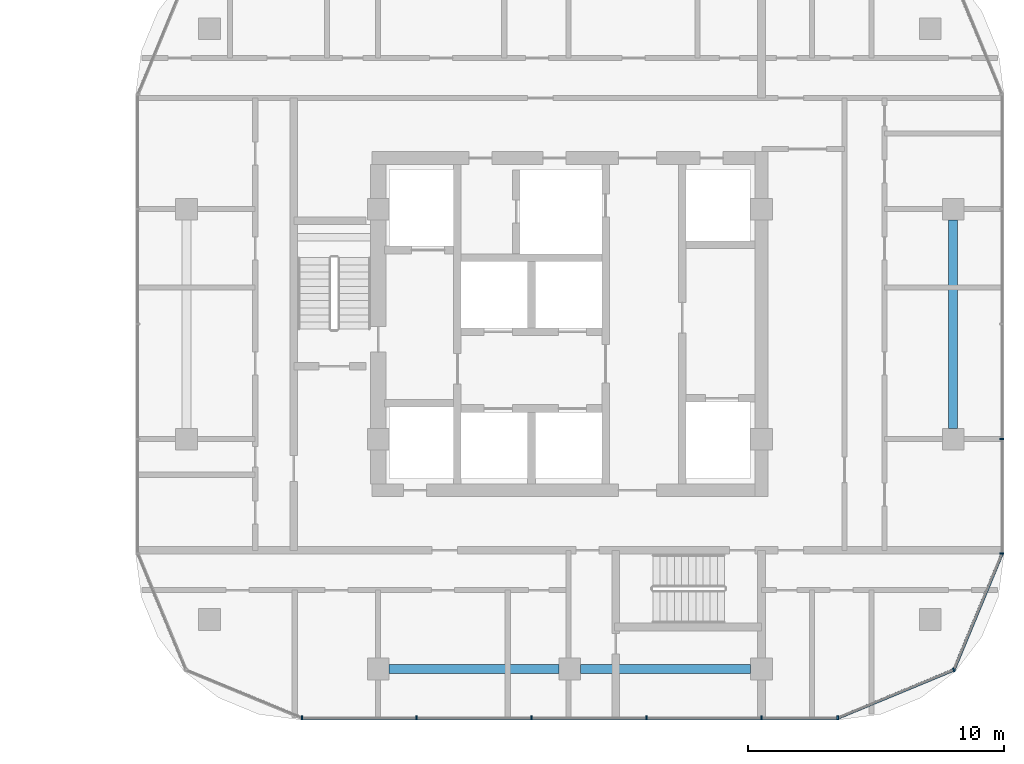
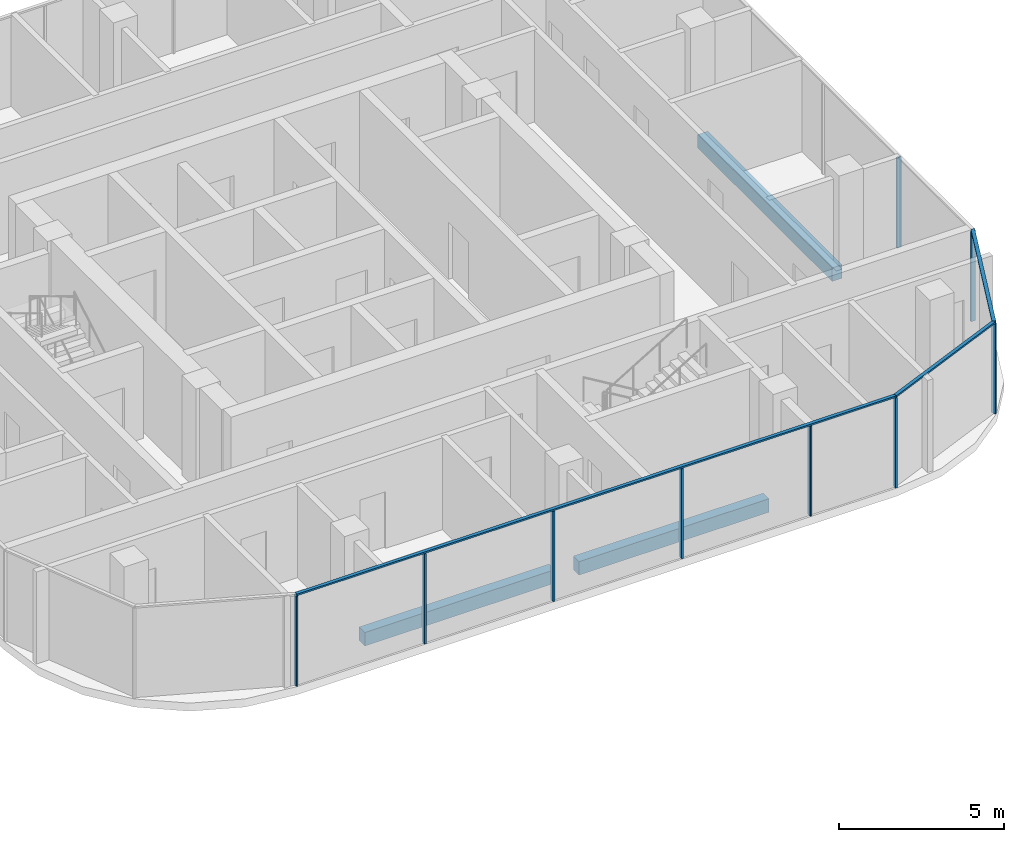
# One storey, part 11 of 32: 12 members, 3 beams, 3 elements without a shape of their own.
"""IFC4 building model written with IfcOpenShell, lengths in metres."""

from ifc_helpers import new_model, si_unit, direction, frame, origin, origin_2d, place, context, subcontext, project, spatial, rectangle, extrude, material, material_profile, profile_set, type_object, element, aggregate, save


model = new_model("IFC4")

# Units and contexts
model_context = context("Model", 3, precision=1e-05, world=origin(), true_north=direction((0.0, 1.0)))
body_context = subcontext(model_context, "Body", "Model", "MODEL_VIEW")
ifc_project = project(units=[si_unit("LENGTHUNIT", "METRE"), si_unit("AREAUNIT", "SQUARE_METRE"), si_unit("VOLUMEUNIT", "CUBIC_METRE"), si_unit("PLANEANGLEUNIT", "RADIAN"), si_unit("MASSUNIT", "GRAM", prefix="KILO")], contexts=[model_context])

# Site, building, storey
site_placement = place(None, origin())
site = spatial("IfcSite", under=ifc_project, at=site_placement, CompositionType="ELEMENT")
building_placement = place(site_placement, origin())
building = spatial("IfcBuilding", under=site, at=building_placement, Name="Ogive Portal Towers", CompositionType="ELEMENT")
storey_placement = place(building_placement, frame((0.0, 0.0, 59.39990234375)))
storey = spatial("IfcBuildingStorey", under=building, at=storey_placement, Name="L13", CompositionType="ELEMENT", Elevation=59.39990234375)

# Curtain wall, members
ifc_material_1 = material(Name="Glass, clear low-iron insulated glazing", Category="glass")
curtain_wall_type = type_object("IfcCurtainWallType", Name="CW RESIDENCES RIBBON", PredefinedType="NOTDEFINED", material=ifc_material_1)
curtain_wall_1_placement = place(storey_placement, origin())
curtain_wall_1 = element("IfcCurtainWall", 1, at=curtain_wall_1_placement, inside=storey, type_object=curtain_wall_type, Name="B:L13:f02:cw0", PredefinedType="NOTDEFINED")
ifc_material_2 = material(Name="Aluminium 6063 anodised", Category="aluminium")
ifc_material_profile_1 = material_profile(ifc_material_2, rectangle(XDim=0.159912109375, YDim=0.06005859375, at=origin_2d()), Name="AL 60x160")
ifc_profile_set_1 = profile_set([ifc_material_profile_1], Name="Aluminium 6063 anodised")
member_type_1 = type_object("IfcMemberType", Name="CW MULLION 60x160", PredefinedType="MULLION", material=ifc_profile_set_1)
member_1_placement = place(storey_placement, frame((126.015869140625, 15.590087890625, 0.0), z_axis=(0.0, 0.0, 1.0), x_axis=(0.0, 1.0, 0.0)))
member_1 = element("IfcMember", 2, at=member_1_placement, type_object=member_type_1, Name="mullion", PredefinedType="MULLION", context=body_context, shape_type="SweptSolid", body=[
    extrude(rectangle(XDim=0.159912109375, YDim=0.06005859375, at=origin_2d()), origin(), (0.0, 0.0, 1.0), 3.340087890625),
])
member_2_placement = place(storey_placement, frame((130.5, 15.590087890625, 0.0), z_axis=(0.0, 0.0, 1.0), x_axis=(0.0, 1.0, 0.0)))
member_2 = element("IfcMember", 3, at=member_2_placement, type_object=member_type_1, Name="mullion", PredefinedType="MULLION", context=body_context, shape_type="SweptSolid", body=[
    extrude(rectangle(XDim=0.159912109375, YDim=0.06005859375, at=origin_2d()), origin(), (0.0, 0.0, 1.0), 3.340087890625),
])
member_3_placement = place(storey_placement, frame((135.0, 15.590087890625, 0.0), z_axis=(0.0, 0.0, 1.0), x_axis=(0.0, 1.0, 0.0)))
member_3 = element("IfcMember", 4, at=member_3_placement, type_object=member_type_1, Name="mullion", PredefinedType="MULLION", context=body_context, shape_type="SweptSolid", body=[
    extrude(rectangle(XDim=0.159912109375, YDim=0.06005859375, at=origin_2d()), origin(), (0.0, 0.0, 1.0), 3.340087890625),
])
member_4_placement = place(storey_placement, frame((139.5, 15.590087890625, 0.0), z_axis=(0.0, 0.0, 1.0), x_axis=(0.0, 1.0, 0.0)))
member_4 = element("IfcMember", 5, at=member_4_placement, type_object=member_type_1, Name="mullion", PredefinedType="MULLION", context=body_context, shape_type="SweptSolid", body=[
    extrude(rectangle(XDim=0.159912109375, YDim=0.06005859375, at=origin_2d()), origin(), (0.0, 0.0, 1.0), 3.340087890625),
])
member_5_placement = place(storey_placement, frame((144.0, 15.590087890625, 0.0), z_axis=(0.0, 0.0, 1.0), x_axis=(0.0, 1.0, 0.0)))
member_5 = element("IfcMember", 6, at=member_5_placement, type_object=member_type_1, Name="mullion", PredefinedType="MULLION", context=body_context, shape_type="SweptSolid", body=[
    extrude(rectangle(XDim=0.159912109375, YDim=0.06005859375, at=origin_2d()), origin(), (0.0, 0.0, 1.0), 3.340087890625),
])
member_6_placement = place(storey_placement, frame((146.984130859375, 15.590087890625, 0.0), z_axis=(0.0, 0.0, 1.0), x_axis=(0.0, 1.0, 0.0)))
member_6 = element("IfcMember", 7, at=member_6_placement, type_object=member_type_1, Name="mullion", PredefinedType="MULLION", context=body_context, shape_type="SweptSolid", body=[
    extrude(rectangle(XDim=0.159912109375, YDim=0.06005859375, at=origin_2d()), origin(), (0.0, 0.0, 1.0), 3.340087890625),
])

curtain_wall_2_placement = place(storey_placement, origin())
curtain_wall_2 = element("IfcCurtainWall", 8, at=curtain_wall_2_placement, inside=storey, type_object=curtain_wall_type, Name="B:L13:f05:cw0", PredefinedType="NOTDEFINED")
member_7_placement = place(storey_placement, frame((153.409912109375, 22.015869140625, 0.0), z_axis=(0.0, 0.0, 1.0), x_axis=(-1.0, 0.0, 0.0)))
member_7 = element("IfcMember", 9, at=member_7_placement, type_object=member_type_1, Name="mullion", PredefinedType="MULLION", context=body_context, shape_type="SweptSolid", body=[
    extrude(rectangle(XDim=0.159912109375, YDim=0.06005859375, at=origin_2d()), origin(), (0.0, 0.0, 1.0), 3.340087890625),
])
member_8_placement = place(storey_placement, frame((153.409912109375, 26.5, 0.0), z_axis=(0.0, 0.0, 1.0), x_axis=(-1.0, 0.0, 0.0)))
member_8 = element("IfcMember", 10, at=member_8_placement, type_object=member_type_1, Name="mullion", PredefinedType="MULLION", context=body_context, shape_type="SweptSolid", body=[
    extrude(rectangle(XDim=0.159912109375, YDim=0.06005859375, at=origin_2d()), origin(), (0.0, 0.0, 1.0), 3.340087890625),
])
aggregate(curtain_wall_2, [member_7, member_8])

# Curtain wall, member
curtain_wall_3_placement = place(storey_placement, origin())
curtain_wall_3 = element("IfcCurtainWall", 11, at=curtain_wall_3_placement, inside=storey, type_object=curtain_wall_type, Name="B:L13:f03:cwa", PredefinedType="NOTDEFINED")
member_9_placement = place(storey_placement, frame((151.52783203125, 17.47216796875, 0.0), z_axis=(0.0, 0.0, 1.0), x_axis=(-0.382683432365, 0.923879532511, 0.0)))
member_9 = element("IfcMember", 12, at=member_9_placement, type_object=member_type_1, Name="mullion", PredefinedType="MULLION", context=body_context, shape_type="SweptSolid", body=[
    extrude(rectangle(XDim=0.159912109375, YDim=0.06005859375, at=origin_2d()), origin(), (0.0, 0.0, 1.0), 3.340087890625),
])

# Member
ifc_material_profile_2 = material_profile(ifc_material_2, rectangle(XDim=0.1201171875, YDim=0.06005859375, at=origin_2d()), Name="AL 120x60")
ifc_profile_set_2 = profile_set([ifc_material_profile_2], Name="Aluminium 6063 anodised")
member_type_2 = type_object("IfcMemberType", Name="CW TRANSOM 60x120", PredefinedType="USERDEFINED", material=ifc_profile_set_2)
member_10_placement = place(storey_placement, frame((126.015869140625, 15.590087890625, 3.3701171875), z_axis=(1.0, 0.0, 0.0), x_axis=(0.0, 1.0, 0.0)))
member_10 = element("IfcMember", 13, at=member_10_placement, type_object=member_type_2, Name="transom", ObjectType="TRANSOM", PredefinedType="USERDEFINED", context=body_context, shape_type="SweptSolid", body=[
    extrude(rectangle(XDim=0.1201171875, YDim=0.06005859375, at=origin_2d()), origin(), (0.0, 0.0, 1.0), 20.96826171875),
])

aggregate(curtain_wall_1, [member_10, member_1, member_2, member_3, member_4, member_5, member_6])

member_11_placement = place(storey_placement, frame((146.984130859375, 15.590087890625, 3.3701171875), z_axis=(0.923878279534, 0.382686457306, 0.0), x_axis=(-0.382686457306, 0.923878279534, 0.0)))
member_11 = element("IfcMember", 14, at=member_11_placement, type_object=member_type_2, Name="transom", ObjectType="TRANSOM", PredefinedType="USERDEFINED", context=body_context, shape_type="SweptSolid", body=[
    extrude(rectangle(XDim=0.1201171875, YDim=0.06005859375, at=origin_2d()), origin(), (0.0, 0.0, 1.0), 4.91796875),
])

member_12_placement = place(storey_placement, frame((151.52783203125, 17.47216796875, 3.3701171875), z_axis=(0.382686457306, 0.923878279534, 0.0), x_axis=(-0.923878279534, 0.382686457306, 0.0)))
member_12 = element("IfcMember", 15, at=member_12_placement, type_object=member_type_2, Name="transom", ObjectType="TRANSOM", PredefinedType="USERDEFINED", context=body_context, shape_type="SweptSolid", body=[
    extrude(rectangle(XDim=0.1201171875, YDim=0.06005859375, at=origin_2d()), origin(), (0.0, 0.0, 1.0), 4.91796875),
])

aggregate(curtain_wall_3, [member_11, member_12, member_9])

# Beams
ifc_material_3 = material(Name="Concrete C50/60", Category="concrete")
ifc_material_profile_3 = material_profile(ifc_material_3, rectangle(XDim=0.35009765625, YDim=0.5, at=origin_2d()), Name="RC 350x500")
ifc_profile_set_3 = profile_set([ifc_material_profile_3], Name="Concrete C50/60")
beam_type = type_object("IfcBeamType", Name="SPANDREL BEAM RC 350x500", PredefinedType="BEAM", material=ifc_profile_set_3)
for number, where, z_axis, x_axis, name in (
    (16, (129.425048828125, 17.5, -0.5498046875), (1.0, 0.0, 0.0), (0.0, 1.0, 0.0), "Spandrel beam L13"),
    (17, (136.925048828125, 17.5, -0.5498046875), (1.0, 0.0, 0.0), (0.0, 1.0, 0.0), "Spandrel beam L13"),
):
    element("IfcBeam", number, at=place(storey_placement, frame(where, z_axis=z_axis, x_axis=x_axis)), inside=storey, type_object=beam_type, Name=name, PredefinedType="BEAM", context=body_context, shape_type="SweptSolid", body=[
        extrude(rectangle(XDim=0.35009765625, YDim=0.5, at=origin_2d()), origin(), (0.0, 0.0, 1.0), 6.64990234375),
    ])
beam_placement = place(storey_placement, frame((151.5, 26.925048828125, -0.5498046875), z_axis=(0.0, 1.0, 0.0), x_axis=(-1.0, 0.0, 0.0)))
element("IfcBeam", 18, at=beam_placement, inside=storey, type_object=beam_type, Name="Spandrel beam L13", PredefinedType="BEAM", context=body_context, shape_type="SweptSolid", body=[
    extrude(rectangle(XDim=0.35009765625, YDim=0.5, at=origin_2d()), origin(), (0.0, 0.0, 1.0), 8.14990234375),
])

save(model, "model.ifc")
